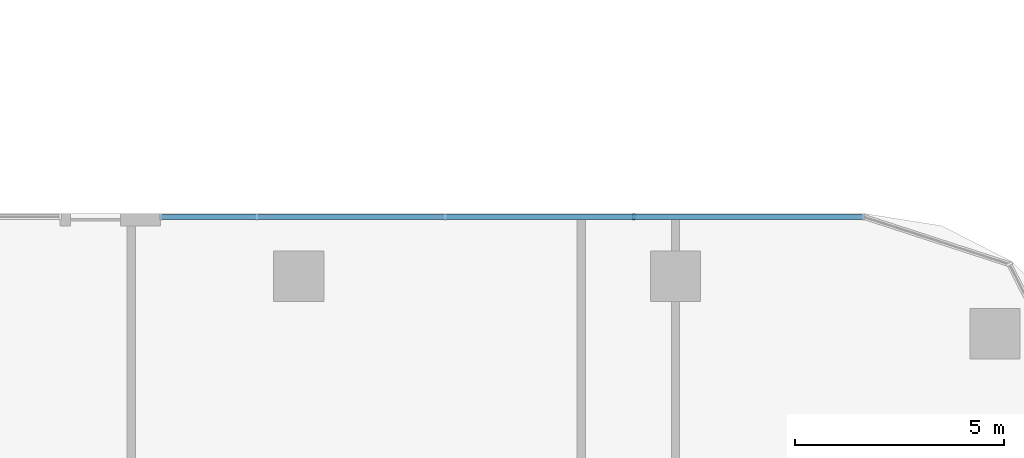
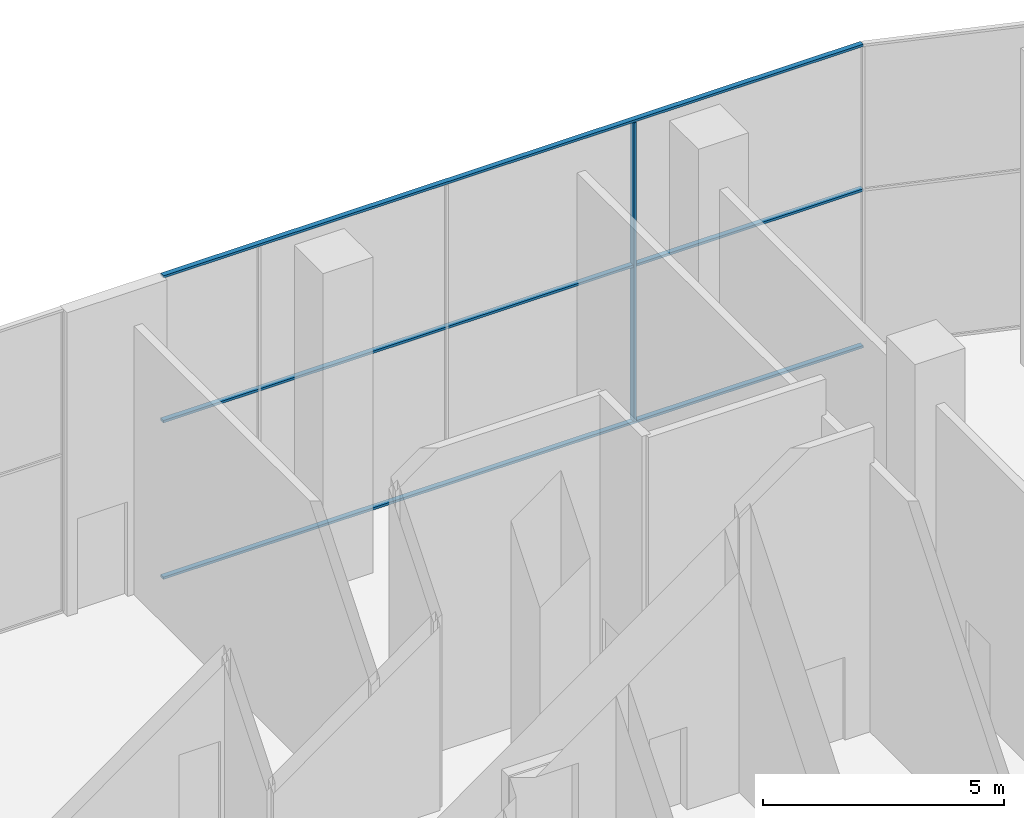
# One storey, part 17 of 54: 4 members, 1 element without a shape of its own.
"""IFC4 building model written with IfcOpenShell, lengths in metres."""

from ifc_helpers import new_model, si_unit, direction, frame, origin, origin_2d, place, context, subcontext, project, spatial, rectangle, extrude, material, material_profile, profile_set, type_object, element, aggregate, save


model = new_model("IFC4")

# Units and contexts
model_context = context("Model", 3, precision=1e-05, world=origin(), true_north=direction((0.0, 1.0)))
body_context = subcontext(model_context, "Body", "Model", "MODEL_VIEW")
ifc_project = project(units=[si_unit("LENGTHUNIT", "METRE"), si_unit("AREAUNIT", "SQUARE_METRE"), si_unit("VOLUMEUNIT", "CUBIC_METRE"), si_unit("PLANEANGLEUNIT", "RADIAN"), si_unit("MASSUNIT", "GRAM", prefix="KILO")], contexts=[model_context])

# Site, building, storey
site_placement = place(None, origin())
site = spatial("IfcSite", under=ifc_project, at=site_placement, CompositionType="ELEMENT")
building_placement = place(site_placement, origin())
building = spatial("IfcBuilding", under=site, at=building_placement, Name="Ogive Portal Towers", CompositionType="ELEMENT")
storey_placement = place(building_placement, origin())
storey = spatial("IfcBuildingStorey", under=building, at=storey_placement, Name="L00", CompositionType="ELEMENT", Elevation=0.0)

# Curtain wall, members
ifc_material_1 = material(Name="Glass, clear low-iron insulated glazing", Category="glass")
curtain_wall_type = type_object("IfcCurtainWallType", Name="CW PODIUM SHOPFRONT", PredefinedType="NOTDEFINED", material=ifc_material_1)
curtain_wall_placement = place(storey_placement, origin())
curtain_wall = element("IfcCurtainWall", 1, at=curtain_wall_placement, inside=storey, type_object=curtain_wall_type, Name="B:L00:f08:cw0", PredefinedType="NOTDEFINED")
ifc_material_2 = material(Name="Aluminium 6063 anodised", Category="aluminium")
ifc_material_profile_1 = material_profile(ifc_material_2, rectangle(XDim=0.159912109375, YDim=0.06005859375, at=origin_2d()), Name="AL 60x160")
ifc_profile_set_1 = profile_set([ifc_material_profile_1], Name="Aluminium 6063 anodised")
member_type_1 = type_object("IfcMemberType", Name="CW MULLION 60x160", PredefinedType="MULLION", material=ifc_profile_set_1)
member_1_placement = place(storey_placement, frame((148.5, 49.919921875, 0.06005859375), z_axis=(0.0, 0.0, 1.0), x_axis=(0.0, -1.0, 0.0)))
member_1 = element("IfcMember", 2, at=member_1_placement, type_object=member_type_1, Name="mullion", PredefinedType="MULLION", context=body_context, shape_type="SweptSolid", body=[
    extrude(rectangle(XDim=0.159912109375, YDim=0.06005859375, at=origin_2d()), origin(), (0.0, 0.0, 1.0), 7.579833984375),
])
ifc_material_profile_2 = material_profile(ifc_material_2, rectangle(XDim=0.1201171875, YDim=0.06005859375, at=origin_2d()), Name="AL 120x60")
ifc_profile_set_2 = profile_set([ifc_material_profile_2], Name="Aluminium 6063 anodised")
member_type_2 = type_object("IfcMemberType", Name="CW TRANSOM 60x120", PredefinedType="USERDEFINED", material=ifc_profile_set_2)
member_2_placement = place(storey_placement, frame((153.9873046875, 49.919921875, 0.030029296875), z_axis=(-1.0, 0.0, 0.0), x_axis=(0.0, -1.0, 0.0)))
member_2 = element("IfcMember", 3, at=member_2_placement, type_object=member_type_2, Name="transom", ObjectType="TRANSOM", PredefinedType="USERDEFINED", context=body_context, shape_type="SweptSolid", body=[
    extrude(rectangle(XDim=0.1201171875, YDim=0.06005859375, at=origin_2d()), origin(), (0.0, 0.0, 1.0), 16.78515625),
])
member_3_placement = place(storey_placement, frame((153.9873046875, 49.919921875, 4.0), z_axis=(-1.0, 0.0, 0.0), x_axis=(0.0, -1.0, 0.0)))
member_3 = element("IfcMember", 4, at=member_3_placement, type_object=member_type_2, Name="transom", ObjectType="TRANSOM", PredefinedType="USERDEFINED", context=body_context, shape_type="SweptSolid", body=[
    extrude(rectangle(XDim=0.1201171875, YDim=0.06005859375, at=origin_2d()), origin(), (0.0, 0.0, 1.0), 16.78515625),
])
member_4_placement = place(storey_placement, frame((153.9873046875, 49.919921875, 7.669921875), z_axis=(-1.0, 0.0, 0.0), x_axis=(0.0, -1.0, 0.0)))
member_4 = element("IfcMember", 5, at=member_4_placement, type_object=member_type_2, Name="transom", ObjectType="TRANSOM", PredefinedType="USERDEFINED", context=body_context, shape_type="SweptSolid", body=[
    extrude(rectangle(XDim=0.1201171875, YDim=0.06005859375, at=origin_2d()), origin(), (0.0, 0.0, 1.0), 16.78515625),
])
aggregate(curtain_wall, [member_2, member_3, member_4, member_1])

save(model, "model.ifc")
